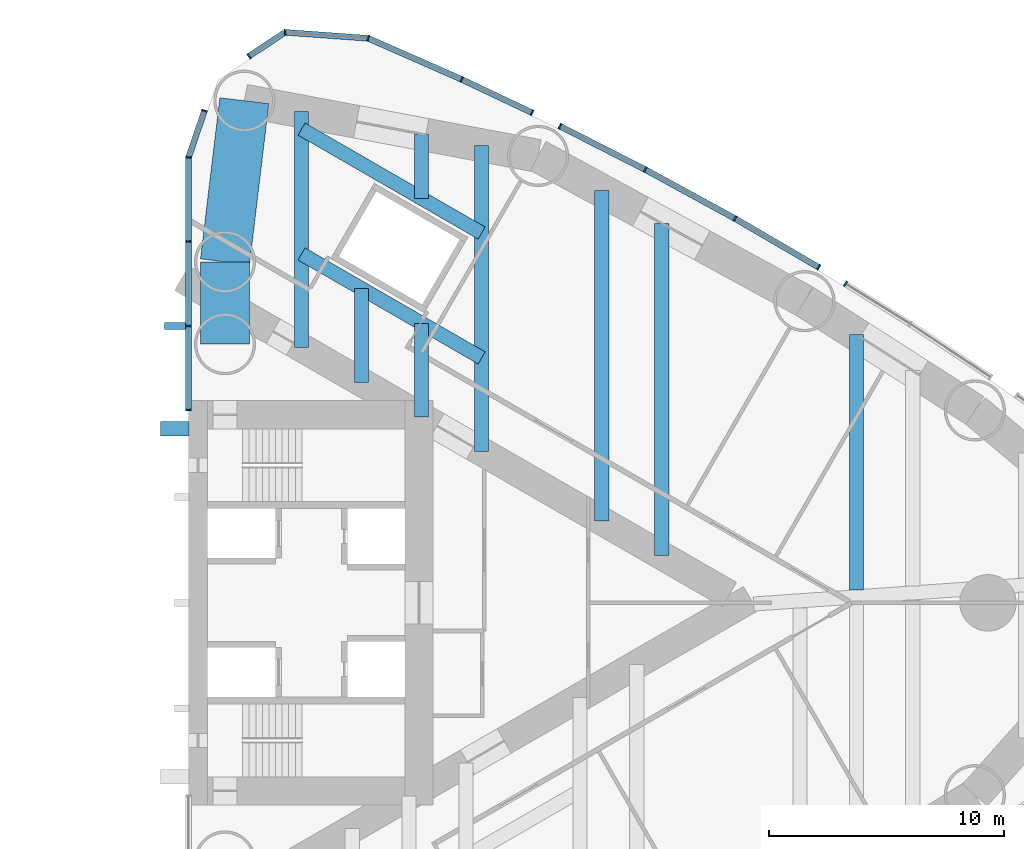
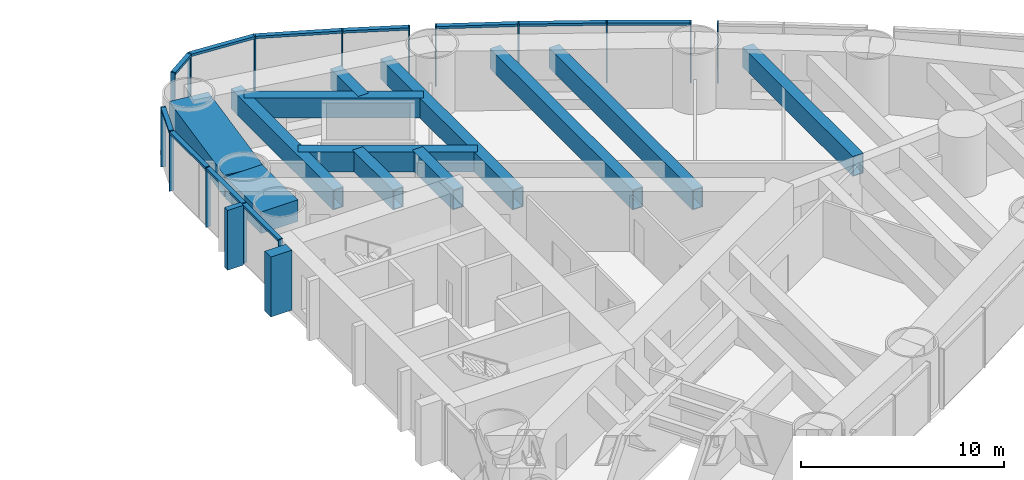
# One storey, part 7 of 16: 28 members, 12 beams, 4 elements without a shape of their own.
"""IFC4 building model written with IfcOpenShell, lengths in metres."""

from ifc_helpers import new_model, si_unit, direction, frame, origin, origin_2d, place, context, subcontext, project, spatial, rectangle, hollow_rectangle, extrude, material, material_profile, profile_set, type_object, element, aggregate, save


model = new_model("IFC4")

# Units and contexts
model_context = context("Model", 3, precision=1e-05, world=origin(), true_north=direction((0.0, 1.0)))
body_context = subcontext(model_context, "Body", "Model", "MODEL_VIEW")
ifc_project = project(units=[si_unit("LENGTHUNIT", "METRE"), si_unit("AREAUNIT", "SQUARE_METRE"), si_unit("VOLUMEUNIT", "CUBIC_METRE"), si_unit("PLANEANGLEUNIT", "RADIAN"), si_unit("MASSUNIT", "GRAM", prefix="KILO")], contexts=[model_context])

# Site, building, storey
site_placement = place(None, origin())
site = spatial("IfcSite", under=ifc_project, at=site_placement, CompositionType="ELEMENT")
building_placement = place(site_placement, origin())
building = spatial("IfcBuilding", under=site, at=building_placement, Name="Lancet Gate Hotel", CompositionType="ELEMENT")
storey_placement = place(building_placement, frame((0.0, 0.0, 143.10009765625)))
storey = spatial("IfcBuildingStorey", under=building, at=storey_placement, Name="L38", CompositionType="ELEMENT", Elevation=143.10009765625)

# Curtain wall, member
ifc_material_1 = material(Name="Aluminium curtain wall", Category="aluminium")
curtain_wall_type = type_object("IfcCurtainWallType", Name="Tower unitised curtain wall", PredefinedType="USERDEFINED", material=ifc_material_1)
curtain_wall_1_placement = place(storey_placement, origin())
curtain_wall_1 = element("IfcCurtainWall", 1, at=curtain_wall_1_placement, inside=storey, type_object=curtain_wall_type, Name="T2 L38 curtain wall 7", ObjectType="UNITISED CURTAIN WALL", PredefinedType="USERDEFINED")
ifc_material_2 = material(Name="Aluminium mullion", Category="aluminium")
ifc_material_profile_1 = material_profile(ifc_material_2, rectangle(XDim=0.06494140625, YDim=0.25, at=origin_2d()), Name="MULLION 65x250")
ifc_profile_set_1 = profile_set([ifc_material_profile_1], Name="Aluminium mullion")
member_type_1 = type_object("IfcMemberType", Name="Aluminium mullion 65x250", PredefinedType="MULLION", material=ifc_profile_set_1)
member_1_placement = place(storey_placement, frame((55.4375, 13.5703125, 0.0), z_axis=(0.0, 0.0, 1.0), x_axis=(-0.849317759497, 0.527881940781, 0.0)))
member_1 = element("IfcMember", 2, at=member_1_placement, type_object=member_type_1, Name="T2 L38 curtain wall 7 mullion 3", PredefinedType="MULLION", context=body_context, shape_type="SweptSolid", body=[
    extrude(rectangle(XDim=0.06494140625, YDim=0.25, at=origin_2d()), origin(), (0.0, 0.0, 1.0), 3.599853515625),
])
aggregate(curtain_wall_1, [member_1])

# Curtain wall, members
curtain_wall_2_placement = place(storey_placement, origin())
curtain_wall_2 = element("IfcCurtainWall", 3, at=curtain_wall_2_placement, inside=storey, type_object=curtain_wall_type, Name="T2 L38 curtain wall 8", ObjectType="UNITISED CURTAIN WALL", PredefinedType="USERDEFINED")
member_2_placement = place(storey_placement, frame((54.301513671875, 14.268798828125, 0.0), z_axis=(0.0, 0.0, 1.0), x_axis=(-0.863965543499, 0.503550930538, 0.0)))
member_2 = element("IfcMember", 4, at=member_2_placement, type_object=member_type_1, Name="T2 L38 curtain wall 8 mullion 1", PredefinedType="MULLION", context=body_context, shape_type="SweptSolid", body=[
    extrude(rectangle(XDim=0.06494140625, YDim=0.25, at=origin_2d()), origin(), (0.0, 0.0, 1.0), 3.599853515625),
])
member_3_placement = place(storey_placement, frame((50.740478515625, 16.344482421875, 0.0), z_axis=(0.0, 0.0, 1.0), x_axis=(-0.871214532544, 0.490902473292, 0.0)))
member_3 = element("IfcMember", 5, at=member_3_placement, type_object=member_type_1, Name="T2 L38 curtain wall 8 mullion 2", PredefinedType="MULLION", context=body_context, shape_type="SweptSolid", body=[
    extrude(rectangle(XDim=0.06494140625, YDim=0.25, at=origin_2d()), origin(), (0.0, 0.0, 1.0), 3.599853515625),
])
member_4_placement = place(storey_placement, frame((46.923828125, 18.426025390625, 0.0), z_axis=(0.0, 0.0, 1.0), x_axis=(-0.884411005787, 0.466708873757, 0.0)))
member_4 = element("IfcMember", 6, at=member_4_placement, type_object=member_type_1, Name="T2 L38 curtain wall 8 mullion 3", PredefinedType="MULLION", context=body_context, shape_type="SweptSolid", body=[
    extrude(rectangle(XDim=0.06494140625, YDim=0.25, at=origin_2d()), origin(), (0.0, 0.0, 1.0), 3.599853515625),
])
member_5_placement = place(storey_placement, frame((43.29443359375, 20.273681640625, 0.0), z_axis=(0.0, 0.0, 1.0), x_axis=(-0.891159350462, 0.453690436403, 0.0)))
member_5 = element("IfcMember", 7, at=member_5_placement, type_object=member_type_1, Name="T2 L38 curtain wall 8 mullion 4", PredefinedType="MULLION", context=body_context, shape_type="SweptSolid", body=[
    extrude(rectangle(XDim=0.06494140625, YDim=0.25, at=origin_2d()), origin(), (0.0, 0.0, 1.0), 3.599853515625),
])

curtain_wall_3_placement = place(storey_placement, origin())
curtain_wall_3 = element("IfcCurtainWall", 8, at=curtain_wall_3_placement, inside=storey, type_object=curtain_wall_type, Name="T2 L38 curtain wall 9", ObjectType="UNITISED CURTAIN WALL", PredefinedType="USERDEFINED")
member_6_placement = place(storey_placement, frame((42.10986328125, 20.843505859375, 0.0), z_axis=(0.0, 0.0, 1.0), x_axis=(-0.903683440096, 0.428201167789, 0.0)))
member_6 = element("IfcMember", 9, at=member_6_placement, type_object=member_type_1, Name="T2 L38 curtain wall 9 mullion 1", PredefinedType="MULLION", context=body_context, shape_type="SweptSolid", body=[
    extrude(rectangle(XDim=0.06494140625, YDim=0.25, at=origin_2d()), origin(), (0.0, 0.0, 1.0), 3.599853515625),
])
member_7_placement = place(storey_placement, frame((39.12109375, 22.259765625, 0.0), z_axis=(0.0, 0.0, 1.0), x_axis=(-0.91047251067, 0.413569591864, 0.0)))
member_7 = element("IfcMember", 10, at=member_7_placement, type_object=member_type_1, Name="T2 L38 curtain wall 9 mullion 2", PredefinedType="MULLION", context=body_context, shape_type="SweptSolid", body=[
    extrude(rectangle(XDim=0.06494140625, YDim=0.25, at=origin_2d()), origin(), (0.0, 0.0, 1.0), 3.599853515625),
])
member_8_placement = place(storey_placement, frame((35.141357421875, 24.009033203125, 0.0), z_axis=(0.0, 0.0, 1.0), x_axis=(-0.966317378791, 0.257353304711, 0.0)))
member_8 = element("IfcMember", 11, at=member_8_placement, type_object=member_type_1, Name="T2 L38 curtain wall 9 mullion 3", PredefinedType="MULLION", context=body_context, shape_type="SweptSolid", body=[
    extrude(rectangle(XDim=0.06494140625, YDim=0.25, at=origin_2d()), origin(), (0.0, 0.0, 1.0), 3.599853515625),
])
member_9_placement = place(storey_placement, frame((31.60205078125, 24.26220703125, 0.0), z_axis=(0.0, 0.0, 1.0), x_axis=(-0.988919080687, -0.148455555147, 0.0)))
member_9 = element("IfcMember", 12, at=member_9_placement, type_object=member_type_1, Name="T2 L38 curtain wall 9 mullion 4", PredefinedType="MULLION", context=body_context, shape_type="SweptSolid", body=[
    extrude(rectangle(XDim=0.06494140625, YDim=0.25, at=origin_2d()), origin(), (0.0, 0.0, 1.0), 3.599853515625),
])
member_10_placement = place(storey_placement, frame((30.072021484375, 23.248046875, 0.0), z_axis=(0.0, 0.0, 1.0), x_axis=(-0.833464516611, -0.552572981198, 0.0)))
member_10 = element("IfcMember", 13, at=member_10_placement, type_object=member_type_1, Name="T2 L38 curtain wall 9 mullion 5", PredefinedType="MULLION", context=body_context, shape_type="SweptSolid", body=[
    extrude(rectangle(XDim=0.06494140625, YDim=0.25, at=origin_2d()), origin(), (0.0, 0.0, 1.0), 3.599853515625),
])

curtain_wall_4_placement = place(storey_placement, origin())
curtain_wall_4 = element("IfcCurtainWall", 14, at=curtain_wall_4_placement, inside=storey, type_object=curtain_wall_type, Name="T2 L38 curtain wall 10", ObjectType="UNITISED CURTAIN WALL", PredefinedType="USERDEFINED")
member_11_placement = place(storey_placement, frame((28.176025390625, 20.927001953125, 0.0), z_axis=(0.0, 0.0, 1.0), x_axis=(-0.32257568891, -0.946543673015, 0.0)))
member_11 = element("IfcMember", 15, at=member_11_placement, type_object=member_type_1, Name="T2 L38 curtain wall 10 mullion 1", PredefinedType="MULLION", context=body_context, shape_type="SweptSolid", body=[
    extrude(rectangle(XDim=0.06494140625, YDim=0.25, at=origin_2d()), origin(), (0.0, 0.0, 1.0), 3.599853515625),
])
member_12_placement = place(storey_placement, frame((27.5, 18.94287109375, 0.0), z_axis=(0.0, 0.0, 1.0), x_axis=(-0.120612385023, -0.992699678946, 0.0)))
member_12 = element("IfcMember", 16, at=member_12_placement, type_object=member_type_1, Name="T2 L38 curtain wall 10 mullion 2", PredefinedType="MULLION", context=body_context, shape_type="SweptSolid", body=[
    extrude(rectangle(XDim=0.06494140625, YDim=0.25, at=origin_2d()), origin(), (0.0, 0.0, 1.0), 3.599853515625),
])
member_13_placement = place(storey_placement, frame((27.5, 15.362060546875, 0.0), z_axis=(0.0, 0.0, 1.0), x_axis=(0.0, -1.0, 0.0)))
member_13 = element("IfcMember", 17, at=member_13_placement, type_object=member_type_1, Name="T2 L38 curtain wall 10 mullion 3", PredefinedType="MULLION", context=body_context, shape_type="SweptSolid", body=[
    extrude(rectangle(XDim=0.06494140625, YDim=0.25, at=origin_2d()), origin(), (0.0, 0.0, 1.0), 3.599853515625),
])
member_14_placement = place(storey_placement, frame((27.5, 11.781005859375, 0.0), z_axis=(0.0, 0.0, 1.0), x_axis=(0.0, -1.0, 0.0)))
member_14 = element("IfcMember", 18, at=member_14_placement, type_object=member_type_1, Name="T2 L38 curtain wall 10 mullion 4", PredefinedType="MULLION", context=body_context, shape_type="SweptSolid", body=[
    extrude(rectangle(XDim=0.06494140625, YDim=0.25, at=origin_2d()), origin(), (0.0, 0.0, 1.0), 3.599853515625),
])
member_15_placement = place(storey_placement, frame((27.5, 8.199951171875, 0.0), z_axis=(0.0, 0.0, 1.0), x_axis=(0.0, -1.0, 0.0)))
member_15 = element("IfcMember", 19, at=member_15_placement, type_object=member_type_1, Name="T2 L38 curtain wall 10 mullion 5", PredefinedType="MULLION", context=body_context, shape_type="SweptSolid", body=[
    extrude(rectangle(XDim=0.06494140625, YDim=0.25, at=origin_2d()), origin(), (0.0, 0.0, 1.0), 3.599853515625),
])

# Member
ifc_material_3 = material(Name="Aluminium transom", Category="aluminium")
ifc_material_profile_2 = material_profile(ifc_material_3, rectangle(XDim=0.25, YDim=0.14990234375, at=origin_2d()), Name="TRANSOM 250x150")
ifc_profile_set_2 = profile_set([ifc_material_profile_2], Name="Aluminium transom")
member_type_2 = type_object("IfcMemberType", Name="Aluminium transom 250x150", PredefinedType="USERDEFINED", material=ifc_profile_set_2)
member_16_placement = place(storey_placement, frame((54.2734375, 14.28515625, 3.52490234375), z_axis=(-0.8639709212, 0.503541703656, 0.0), x_axis=(-0.503541703656, -0.8639709212, 0.0)))
member_16 = element("IfcMember", 20, at=member_16_placement, type_object=member_type_2, Name="T2 L38 curtain wall 8 transom 1", ObjectType="TRANSOM", PredefinedType="USERDEFINED", context=body_context, shape_type="SweptSolid", body=[
    extrude(rectangle(XDim=0.25, YDim=0.14990234375, at=origin_2d()), origin(), (0.0, 0.0, 1.0), 4.056640625),
])

member_17_placement = place(storey_placement, frame((50.7119140625, 16.35986328125, 3.52490234375), z_axis=(-0.877906466435, 0.478832158685, 0.0), x_axis=(-0.478832158685, -0.877906466435, 0.0)))
member_17 = element("IfcMember", 21, at=member_17_placement, type_object=member_type_2, Name="T2 L38 curtain wall 8 transom 2", ObjectType="TRANSOM", PredefinedType="USERDEFINED", context=body_context, shape_type="SweptSolid", body=[
    extrude(rectangle(XDim=0.25, YDim=0.14990234375, at=origin_2d()), origin(), (0.0, 0.0, 1.0), 4.282470703125),
])

member_18_placement = place(storey_placement, frame((46.89501953125, 18.440673828125, 3.52490234375), z_axis=(-0.891175206203, 0.453659290491, 0.0), x_axis=(-0.453659290491, -0.891175206203, 0.0)))
member_18 = element("IfcMember", 22, at=member_18_placement, type_object=member_type_2, Name="T2 L38 curtain wall 8 transom 3", ObjectType="TRANSOM", PredefinedType="USERDEFINED", context=body_context, shape_type="SweptSolid", body=[
    extrude(rectangle(XDim=0.25, YDim=0.14990234375, at=origin_2d()), origin(), (0.0, 0.0, 1.0), 4.007568359375),
])

aggregate(curtain_wall_2, [member_2, member_3, member_4, member_5, member_16, member_17, member_18])

member_19_placement = place(storey_placement, frame((42.08056640625, 20.857421875, 3.52490234375), z_axis=(-0.903670364691, 0.42822876127, 0.0), x_axis=(-0.42822876127, -0.903670364691, 0.0)))
member_19 = element("IfcMember", 23, at=member_19_placement, type_object=member_type_2, Name="T2 L38 curtain wall 9 transom 1", ObjectType="TRANSOM", PredefinedType="USERDEFINED", context=body_context, shape_type="SweptSolid", body=[
    extrude(rectangle(XDim=0.25, YDim=0.14990234375, at=origin_2d()), origin(), (0.0, 0.0, 1.0), 3.2421875),
])

member_20_placement = place(storey_placement, frame((39.09130859375, 22.27294921875, 3.52490234375), z_axis=(-0.915484772266, 0.402352621155, 0.0), x_axis=(-0.402352621155, -0.915484772266, 0.0)))
member_20 = element("IfcMember", 24, at=member_20_placement, type_object=member_type_2, Name="T2 L38 curtain wall 9 transom 2", ObjectType="TRANSOM", PredefinedType="USERDEFINED", context=body_context, shape_type="SweptSolid", body=[
    extrude(rectangle(XDim=0.25, YDim=0.14990234375, at=origin_2d()), origin(), (0.0, 0.0, 1.0), 4.281982421875),
])

member_21_placement = place(storey_placement, frame((35.10888671875, 24.01123046875, 3.52490234375), z_axis=(-0.997446232115, 0.071421383636, 0.0), x_axis=(-0.071421383636, -0.997446232115, 0.0)))
member_21 = element("IfcMember", 25, at=member_21_placement, type_object=member_type_2, Name="T2 L38 curtain wall 9 transom 3", ObjectType="TRANSOM", PredefinedType="USERDEFINED", context=body_context, shape_type="SweptSolid", body=[
    extrude(rectangle(XDim=0.25, YDim=0.14990234375, at=origin_2d()), origin(), (0.0, 0.0, 1.0), 3.483154296875),
])

member_22_placement = place(storey_placement, frame((31.574951171875, 24.244384765625, 3.52490234375), z_axis=(-0.833447594592, -0.552598504404, 0.0), x_axis=(0.552598504404, -0.833447594592, 0.0)))
member_22 = element("IfcMember", 26, at=member_22_placement, type_object=member_type_2, Name="T2 L38 curtain wall 9 transom 4", ObjectType="TRANSOM", PredefinedType="USERDEFINED", context=body_context, shape_type="SweptSolid", body=[
    extrude(rectangle(XDim=0.25, YDim=0.14990234375, at=origin_2d()), origin(), (0.0, 0.0, 1.0), 1.770751953125),
])

aggregate(curtain_wall_3, [member_6, member_7, member_8, member_9, member_10, member_19, member_20, member_21, member_22])

member_23_placement = place(storey_placement, frame((28.165771484375, 20.896240234375, 3.52490234375), z_axis=(-0.322602955748, -0.946534380222, 0.0), x_axis=(0.946534380222, -0.322602955748, 0.0)))
member_23 = element("IfcMember", 27, at=member_23_placement, type_object=member_type_2, Name="T2 L38 curtain wall 10 transom 1", ObjectType="TRANSOM", PredefinedType="USERDEFINED", context=body_context, shape_type="SweptSolid", body=[
    extrude(rectangle(XDim=0.25, YDim=0.14990234375, at=origin_2d()), origin(), (0.0, 0.0, 1.0), 2.03125),
])

member_24_placement = place(storey_placement, frame((27.5, 18.910400390625, 3.52490234375), z_axis=(0.0, -1.0, 0.0), x_axis=(1.0, 0.0, 0.0)))
member_24 = element("IfcMember", 28, at=member_24_placement, type_object=member_type_2, Name="T2 L38 curtain wall 10 transom 2", ObjectType="TRANSOM", PredefinedType="USERDEFINED", context=body_context, shape_type="SweptSolid", body=[
    extrude(rectangle(XDim=0.25, YDim=0.14990234375, at=origin_2d()), origin(), (0.0, 0.0, 1.0), 3.515869140625),
])

member_25_placement = place(storey_placement, frame((27.5, 15.329345703125, 3.52490234375), z_axis=(0.0, -1.0, 0.0), x_axis=(1.0, 0.0, 0.0)))
member_25 = element("IfcMember", 29, at=member_25_placement, type_object=member_type_2, Name="T2 L38 curtain wall 10 transom 3", ObjectType="TRANSOM", PredefinedType="USERDEFINED", context=body_context, shape_type="SweptSolid", body=[
    extrude(rectangle(XDim=0.25, YDim=0.14990234375, at=origin_2d()), origin(), (0.0, 0.0, 1.0), 3.515869140625),
])

member_26_placement = place(storey_placement, frame((27.5, 11.74853515625, 3.52490234375), z_axis=(0.0, -1.0, 0.0), x_axis=(1.0, 0.0, 0.0)))
member_26 = element("IfcMember", 30, at=member_26_placement, type_object=member_type_2, Name="T2 L38 curtain wall 10 transom 4", ObjectType="TRANSOM", PredefinedType="USERDEFINED", context=body_context, shape_type="SweptSolid", body=[
    extrude(rectangle(XDim=0.25, YDim=0.14990234375, at=origin_2d()), origin(), (0.0, 0.0, 1.0), 3.51611328125),
])

ifc_material_4 = material(Name="Concrete C60/75", Category="concrete")
ifc_material_profile_3 = material_profile(ifc_material_4, rectangle(XDim=0.60009765625, YDim=1.199951171875, at=origin_2d()), Name="FIN 600x1200")
ifc_profile_set_3 = profile_set([ifc_material_profile_3], Name="Concrete C60/75")
member_type_3 = type_object("IfcMemberType", Name="Exposed concrete buttress pilaster 600x1200", PredefinedType="USERDEFINED", material=ifc_profile_set_3)
member_27_placement = place(storey_placement, frame((26.909912109375, 7.39990234375, 0.0), z_axis=(0.0, 0.0, 1.0), x_axis=(0.0, 1.0, 0.0)))
element("IfcMember", 31, at=member_27_placement, inside=storey, type_object=member_type_3, Name="T2 buttress pilaster N L38", ObjectType="FIN", PredefinedType="USERDEFINED", context=body_context, shape_type="SweptSolid", body=[
    extrude(rectangle(XDim=0.60009765625, YDim=1.199951171875, at=origin_2d()), origin(), (0.0, 0.0, 1.0), 3.599853515625),
])

ifc_material_5 = material(Name="Precast concrete C50/60", Category="concrete")
ifc_material_profile_4 = material_profile(ifc_material_5, rectangle(XDim=0.300048828125, YDim=0.89990234375, at=origin_2d()), Name="FIN 300x900")
ifc_profile_set_4 = profile_set([ifc_material_profile_4], Name="Precast concrete C50/60")
member_type_4 = type_object("IfcMemberType", Name="Exposed concrete fin 300x900", PredefinedType="USERDEFINED", material=ifc_profile_set_4)
member_28_placement = place(storey_placement, frame((26.925048828125, 11.781005859375, 0.0), z_axis=(0.0, 0.0, 1.0), x_axis=(0.0, -1.0, 0.0)))
member_28 = element("IfcMember", 32, at=member_28_placement, type_object=member_type_4, Name="T2 L38 curtain wall 10 fin 4", ObjectType="FIN", PredefinedType="USERDEFINED", context=body_context, shape_type="SweptSolid", body=[
    extrude(rectangle(XDim=0.300048828125, YDim=0.89990234375, at=origin_2d()), origin(), (0.0, 0.0, 1.0), 3.599853515625),
])

aggregate(curtain_wall_4, [member_11, member_12, member_13, member_14, member_28, member_15, member_23, member_24, member_25, member_26])

# Beams
ifc_material_6 = material(Name="Steel S460QL", Category="steel")
ifc_material_profile_5 = material_profile(ifc_material_6, hollow_rectangle(XDim=0.60009765625, YDim=1.199951171875, WallThickness=0.050048828125, at=origin_2d()), Name="BOX 1200x600x50")
ifc_profile_set_5 = profile_set([ifc_material_profile_5], Name="Steel S460QL")
beam_type_1 = type_object("IfcBeamType", Name="Refuge floor beam BOX 1200x600x50", PredefinedType="BEAM", material=ifc_profile_set_5)
beam_1_placement = place(storey_placement, frame((32.306396484375, 10.851806640625, 2.75), z_axis=(0.0, 1.0, 0.0), x_axis=(-1.0, 0.0, 0.0)))
element("IfcBeam", 33, at=beam_1_placement, inside=storey, type_object=beam_type_1, Name="T2 floor beam F02N L38", PredefinedType="BEAM", context=body_context, shape_type="SweptSolid", body=[
    extrude(hollow_rectangle(XDim=0.60009765625, YDim=1.199951171875, WallThickness=0.050048828125, at=origin_2d()), origin(), (0.0, 0.0, 1.0), 10.0458984375),
])
beam_2_placement = place(storey_placement, frame((39.9658203125, 6.429443359375, 2.75), z_axis=(0.0, 1.0, 0.0), x_axis=(-1.0, 0.0, 0.0)))
element("IfcBeam", 34, at=beam_2_placement, inside=storey, type_object=beam_type_1, Name="T2 floor beam F08N L38", PredefinedType="BEAM", context=body_context, shape_type="SweptSolid", body=[
    extrude(hollow_rectangle(XDim=0.60009765625, YDim=1.199951171875, WallThickness=0.050048828125, at=origin_2d()), origin(), (0.0, 0.0, 1.0), 13.02880859375),
])
beam_3_placement = place(storey_placement, frame((45.072265625, 3.4814453125, 2.75), z_axis=(0.0, 1.0, 0.0), x_axis=(-1.0, 0.0, 0.0)))
element("IfcBeam", 35, at=beam_3_placement, inside=storey, type_object=beam_type_1, Name="T2 floor beam F10N L38", PredefinedType="BEAM", context=body_context, shape_type="SweptSolid", body=[
    extrude(hollow_rectangle(XDim=0.60009765625, YDim=1.199951171875, WallThickness=0.050048828125, at=origin_2d()), origin(), (0.0, 0.0, 1.0), 14.0498046875),
])
beam_4_placement = place(storey_placement, frame((47.62548828125, 2.00732421875, 2.75), z_axis=(0.0, 1.0, 0.0), x_axis=(-1.0, 0.0, 0.0)))
element("IfcBeam", 36, at=beam_4_placement, inside=storey, type_object=beam_type_1, Name="T2 floor beam F12N L38", PredefinedType="BEAM", context=body_context, shape_type="SweptSolid", body=[
    extrude(hollow_rectangle(XDim=0.60009765625, YDim=1.199951171875, WallThickness=0.050048828125, at=origin_2d()), origin(), (0.0, 0.0, 1.0), 14.13134765625),
])
beam_5_placement = place(storey_placement, frame((55.90234375, 0.552490234375, 2.75), z_axis=(0.0, 1.0, 0.0), x_axis=(-1.0, 0.0, 0.0)))
element("IfcBeam", 37, at=beam_5_placement, inside=storey, type_object=beam_type_1, Name="T2 floor beam F15N L38", PredefinedType="BEAM", context=body_context, shape_type="SweptSolid", body=[
    extrude(hollow_rectangle(XDim=0.60009765625, YDim=1.199951171875, WallThickness=0.050048828125, at=origin_2d()), origin(), (0.0, 0.0, 1.0), 10.8603515625),
])
beam_6_placement = place(storey_placement, frame((34.859619140625, 9.377685546875, 2.75), z_axis=(0.0, 1.0, 0.0), x_axis=(-1.0, 0.0, 0.0)))
element("IfcBeam", 38, at=beam_6_placement, inside=storey, type_object=beam_type_1, Name="T2 floor beam F04NA L38", PredefinedType="BEAM", context=body_context, shape_type="SweptSolid", body=[
    extrude(hollow_rectangle(XDim=0.60009765625, YDim=1.199951171875, WallThickness=0.050048828125, at=origin_2d()), origin(), (0.0, 0.0, 1.0), 3.98388671875),
])
beam_7_placement = place(storey_placement, frame((37.412841796875, 7.903564453125, 2.75), z_axis=(0.0, 1.0, 0.0), x_axis=(-1.0, 0.0, 0.0)))
element("IfcBeam", 39, at=beam_7_placement, inside=storey, type_object=beam_type_1, Name="T2 floor beam F06NA L38", PredefinedType="BEAM", context=body_context, shape_type="SweptSolid", body=[
    extrude(hollow_rectangle(XDim=0.60009765625, YDim=1.199951171875, WallThickness=0.050048828125, at=origin_2d()), origin(), (0.0, 0.0, 1.0), 3.983642578125),
])
beam_8_placement = place(storey_placement, frame((37.412841796875, 17.198974609375, 2.75), z_axis=(0.0, 1.0, 0.0), x_axis=(-1.0, 0.0, 0.0)))
element("IfcBeam", 40, at=beam_8_placement, inside=storey, type_object=beam_type_1, Name="T2 floor beam F06NB L38", PredefinedType="BEAM", context=body_context, shape_type="SweptSolid", body=[
    extrude(hollow_rectangle(XDim=0.60009765625, YDim=1.199951171875, WallThickness=0.050048828125, at=origin_2d()), origin(), (0.0, 0.0, 1.0), 2.739013671875),
])
ifc_material_7 = material(Name="Concrete C50/60", Category="concrete")
ifc_material_profile_6 = material_profile(ifc_material_7, rectangle(XDim=2.10009765625, YDim=1.300048828125, at=origin_2d()), Name="RC 2100x1300")
ifc_profile_set_6 = profile_set([ifc_material_profile_6], Name="Concrete C50/60")
beam_type_2 = type_object("IfcBeamType", Name="Tie ring beam RC 2100x1300", PredefinedType="SPANDREL", material=ifc_profile_set_6)
beam_9_placement = place(storey_placement, frame((29.050048828125, 11.0, 2.699951171875), z_axis=(0.0, 1.0, 0.0), x_axis=(-1.0, 0.0, 0.0)))
element("IfcBeam", 41, at=beam_9_placement, inside=storey, type_object=beam_type_2, Name="T2 tie ring beam RG2 L38", PredefinedType="SPANDREL", context=body_context, shape_type="SweptSolid", body=[
    extrude(rectangle(XDim=2.10009765625, YDim=1.300048828125, at=origin_2d()), origin(), (0.0, 0.0, 1.0), 3.5),
])
beam_10_placement = place(storey_placement, frame((29.050048828125, 14.5, 2.699951171875), z_axis=(0.119062951196, 0.99288670736, 0.0), x_axis=(-0.99288670736, 0.119062951196, 0.0)))
element("IfcBeam", 42, at=beam_10_placement, inside=storey, type_object=beam_type_2, Name="T2 tie ring beam RG2 L38", PredefinedType="SPANDREL", context=body_context, shape_type="SweptSolid", body=[
    extrude(rectangle(XDim=2.10009765625, YDim=1.300048828125, at=origin_2d()), origin(), (0.0, 0.0, 1.0), 6.904052734375),
])
ifc_material_8 = material(Name="Steel S460QL", Category="steel")
ifc_material_profile_7 = material_profile(ifc_material_8, hollow_rectangle(XDim=0.60009765625, YDim=1.199951171875, WallThickness=0.050048828125, at=origin_2d()), Name="BOX 1200x600x50")
ifc_profile_set_7 = profile_set([ifc_material_profile_7], Name="Steel S460QL")
beam_type_3 = type_object("IfcBeamType", Name="Trimmer beam BOX 1200x600x50", PredefinedType="BEAM", material=ifc_profile_set_7)
beam_11_placement = place(storey_placement, frame((32.306396484375, 20.147705078125, 2.75), z_axis=(0.865968147191, -0.500099158219, 0.0), x_axis=(0.500099158219, 0.865968147191, 0.0)))
element("IfcBeam", 43, at=beam_11_placement, inside=storey, type_object=beam_type_3, Name="T2 trimmer beam TR03N L38", PredefinedType="BEAM", context=body_context, shape_type="SweptSolid", body=[
    extrude(hollow_rectangle(XDim=0.60009765625, YDim=1.199951171875, WallThickness=0.050048828125, at=origin_2d()), origin(), (0.0, 0.0, 1.0), 8.844970703125),
])
beam_12_placement = place(storey_placement, frame((32.306396484375, 14.8359375, 2.75), z_axis=(0.865980100851, -0.500078458774, 0.0), x_axis=(0.500078458774, 0.865980100851, 0.0)))
element("IfcBeam", 44, at=beam_12_placement, inside=storey, type_object=beam_type_3, Name="T2 trimmer beam TR04N L38", PredefinedType="BEAM", context=body_context, shape_type="SweptSolid", body=[
    extrude(hollow_rectangle(XDim=0.60009765625, YDim=1.199951171875, WallThickness=0.050048828125, at=origin_2d()), origin(), (0.0, 0.0, 1.0), 8.8447265625),
])

save(model, "model.ifc")
